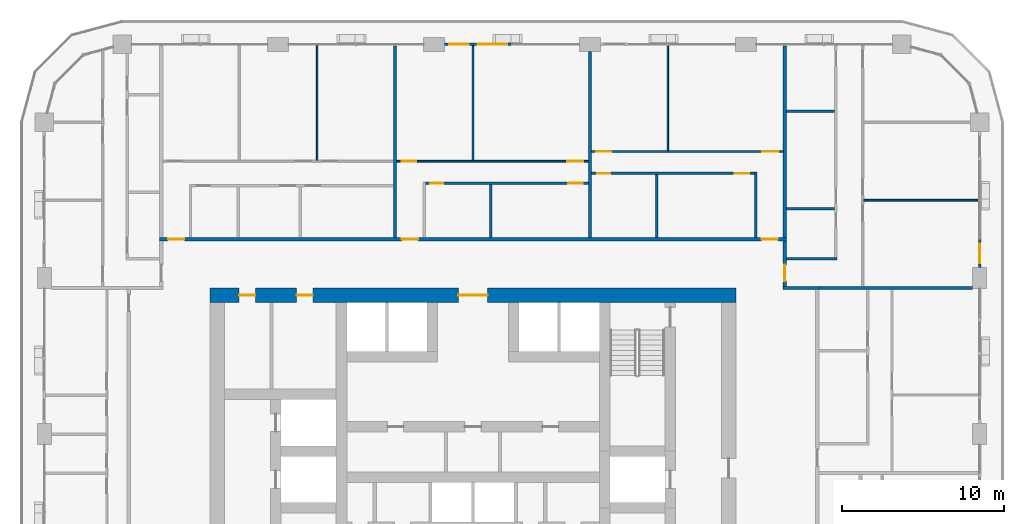
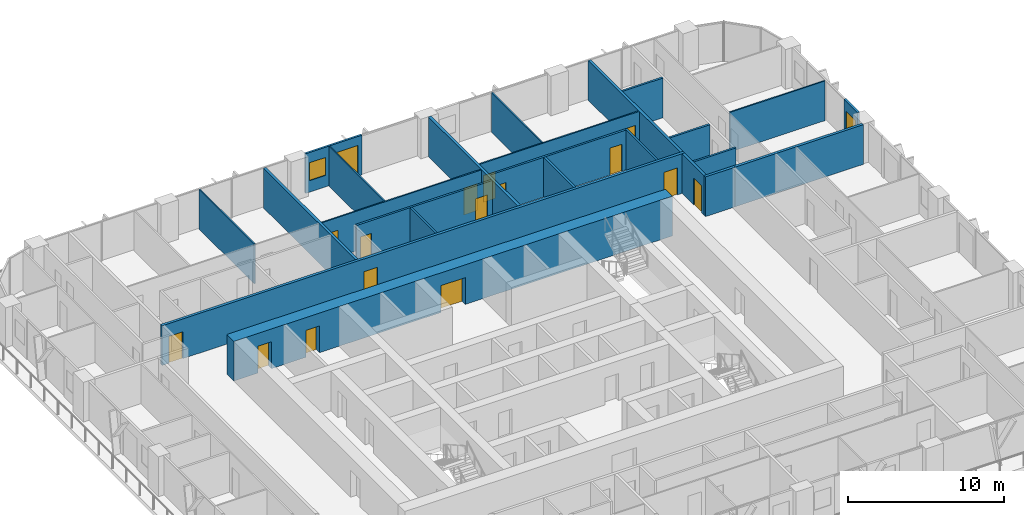
# One storey, part 14 of 21: 24 walls, 16 doors, 2 windows, 18 openings.
"""IFC4 building model written with IfcOpenShell, lengths in metres."""

from ifc_helpers import new_model, si_unit, direction, frame, frame_2d, origin, place, context, subcontext, project, spatial, rectangle, extrude, material, layer, layer_set, type_object, element, fill, save


model = new_model("IFC4")

# Units and contexts
model_context = context("Model", 3, precision=1e-05, world=origin(), true_north=direction((0.0, 1.0)))
body_context = subcontext(model_context, "Body", "Model", "MODEL_VIEW")
ifc_project = project(units=[si_unit("LENGTHUNIT", "METRE"), si_unit("AREAUNIT", "SQUARE_METRE"), si_unit("VOLUMEUNIT", "CUBIC_METRE"), si_unit("PLANEANGLEUNIT", "RADIAN"), si_unit("MASSUNIT", "GRAM", prefix="KILO")], contexts=[model_context])

# Site, building, storey
site_placement = place(None, origin())
site = spatial("IfcSite", under=ifc_project, at=site_placement, CompositionType="ELEMENT")
building_placement = place(site_placement, origin())
building = spatial("IfcBuilding", under=site, at=building_placement, Name="Madar Terraces", CompositionType="ELEMENT")
storey_placement = place(building_placement, frame((0.0, 0.0, 110.199951171875)))
storey = spatial("IfcBuildingStorey", under=building, at=storey_placement, Name="L28", CompositionType="ELEMENT", Elevation=110.199951171875)

# Wall, openings, doors
ifc_material_1 = material(Name="Concrete C80/95", Category="concrete")
ifc_layer_1 = layer(ifc_material_1, 0.89990234375)
ifc_layer_set_1 = layer_set([ifc_layer_1], Name="Concrete C80/95 (CRW2 RC wall 900)")
wall_type_1 = type_object("IfcWallType", Name="CRW2 RC wall 900", PredefinedType="SHEAR", material=ifc_layer_set_1)
wall_1_placement = place(storey_placement, frame((15.0, 37.35009765625, 0.0), z_axis=(0.0, 0.0, 1.0), x_axis=(1.0, 0.0, 0.0)))
wall_1 = element("IfcWall", 1, at=wall_1_placement, inside=storey, type_object=wall_type_1, Name="CORE OUTER WALL", PredefinedType="SHEAR", context=body_context, shape_type="SweptSolid", body=[
    extrude(rectangle(XDim=32.39990234375, YDim=0.89990234375, at=frame_2d((16.199951171875, 0.0))), origin(), (0.0, 0.0, 1.0), 3.10009765625),
])
opening_1_placement = place(wall_1_placement, frame((15.300048828125, 0.0, 0.0)))
opening_1 = element("IfcOpeningElement", 2, at=opening_1_placement, cuts=wall_1, Name="Opening KD1", PredefinedType="OPENING", context=body_context, shape_type="SweptSolid", body=[
    extrude(rectangle(XDim=1.800048828125, YDim=2.10009765625, at=frame_2d((0.89990234375, 1.050048828125))), frame((0.0, 0.4599609375, 0.0), z_axis=(0.0, -1.0, 0.0), x_axis=(1.0, 0.0, 0.0)), (0.0, 0.0, 1.0), 0.919921875),
])
opening_2_placement = place(wall_1_placement, frame((1.793701171875, 0.0, 0.0)))
opening_2 = element("IfcOpeningElement", 3, at=opening_2_placement, cuts=wall_1, Name="Opening KD2", PredefinedType="OPENING", context=body_context, shape_type="SweptSolid", body=[
    extrude(rectangle(XDim=1.0, YDim=2.10009765625, at=frame_2d((0.5, 1.050048828125))), frame((0.0, 0.4599609375, 0.0), z_axis=(0.0, -1.0, 0.0), x_axis=(1.0, 0.0, 0.0)), (0.0, 0.0, 1.0), 0.919921875),
])
opening_3_placement = place(wall_1_placement, frame((5.331298828125, 0.0, 0.0)))
opening_3 = element("IfcOpeningElement", 4, at=opening_3_placement, cuts=wall_1, Name="Opening KD2", PredefinedType="OPENING", context=body_context, shape_type="SweptSolid", body=[
    extrude(rectangle(XDim=1.0, YDim=2.10009765625, at=frame_2d((0.5, 1.050048828125))), frame((0.0, 0.4599609375, 0.0), z_axis=(0.0, -1.0, 0.0), x_axis=(1.0, 0.0, 0.0)), (0.0, 0.0, 1.0), 0.919921875),
])
ifc_material_2 = material(Name="Steel door leaf", Category="steel")
door_type_1 = type_object("IfcDoorType", Name="Lobby door pair 1800 x 2100", OperationType="DOUBLE_DOOR_SINGLE_SWING", PredefinedType="DOOR", material=ifc_material_2)
door_1_placement = place(opening_1_placement, origin())
door_1 = element("IfcDoor", 5, at=door_1_placement, inside=storey, type_object=door_type_1, Name="LIFT LOBBY DOOR", OperationType="DOUBLE_DOOR_SINGLE_SWING", OverallHeight=2.10009765625, OverallWidth=1.800048828125, PredefinedType="DOOR", context=body_context, shape_type="SweptSolid", body=[
    extrude(rectangle(XDim=1.800048828125, YDim=2.10009765625, at=frame_2d((0.89990234375, 1.050048828125))), frame((0.0, 0.02490234375, 0.0), z_axis=(0.0, -1.0, 0.0), x_axis=(1.0, 0.0, 0.0)), (0.0, 0.0, 1.0), 0.050048828125),
])
fill(opening_1, door_1)
ifc_material_3 = material(Name="Steel door leaf", Category="steel")
door_type_2 = type_object("IfcDoorType", Name="Service room door 1000 x 2100", OperationType="NOTDEFINED", PredefinedType="DOOR", material=ifc_material_3)
door_2_placement = place(opening_2_placement, origin())
door_2 = element("IfcDoor", 6, at=door_2_placement, inside=storey, type_object=door_type_2, Name="SERVICE ROOM DOOR", OperationType="SINGLE_SWING_LEFT", OverallHeight=2.10009765625, OverallWidth=1.0, PredefinedType="DOOR", context=body_context, shape_type="SweptSolid", body=[
    extrude(rectangle(XDim=1.0, YDim=2.10009765625, at=frame_2d((0.5, 1.050048828125))), frame((0.0, 0.02490234375, 0.0), z_axis=(0.0, -1.0, 0.0), x_axis=(1.0, 0.0, 0.0)), (0.0, 0.0, 1.0), 0.050048828125),
])
fill(opening_2, door_2)
door_3_placement = place(opening_3_placement, origin())
door_3 = element("IfcDoor", 7, at=door_3_placement, inside=storey, type_object=door_type_2, Name="SERVICE ROOM DOOR", OperationType="SINGLE_SWING_RIGHT", OverallHeight=2.10009765625, OverallWidth=1.0, PredefinedType="DOOR", context=body_context, shape_type="SweptSolid", body=[
    extrude(rectangle(XDim=1.0, YDim=2.10009765625, at=frame_2d((0.5, 1.050048828125))), frame((0.0, 0.02490234375, 0.0), z_axis=(0.0, -1.0, 0.0), x_axis=(1.0, 0.0, 0.0)), (0.0, 0.0, 1.0), 0.050048828125),
])
fill(opening_3, door_3)

# Wall, opening, window
ifc_material_4 = material(Name="Aluminium composite panel, black, over insulated backing", Category="aluminium")
ifc_layer_2 = layer(ifc_material_4, 0.14990234375)
ifc_layer_set_2 = layer_set([ifc_layer_2], Name="Facade bay panel 150")
wall_type_2 = type_object("IfcWallType", Name="Facade bay panel 150", PredefinedType="SOLIDWALL", material=ifc_layer_set_2)
wall_2_placement = place(storey_placement, frame((62.39990234375, 39.050048828125, 0.0), z_axis=(0.0, 0.0, 1.0), x_axis=(0.0, 1.0, 0.0)))
wall_2 = element("IfcWall", 8, at=wall_2_placement, inside=storey, type_object=wall_type_2, Name="Facade bay panel", PredefinedType="SOLIDWALL", context=body_context, shape_type="SweptSolid", body=[
    extrude(rectangle(XDim=1.75, YDim=0.14990234375, at=frame_2d((0.875, 0.0))), origin(), (0.0, 0.0, 1.0), 3.10009765625),
])
opening_4_placement = place(wall_2_placement, frame((0.27490234375, 0.0, 0.89990234375)))
opening_4 = element("IfcOpeningElement", 9, at=opening_4_placement, cuts=wall_2, Name="Opening W1", PredefinedType="OPENING", context=body_context, shape_type="SweptSolid", body=[
    extrude(rectangle(XDim=1.199951171875, YDim=1.39990234375, at=frame_2d((0.60009765625, 0.699951171875))), frame((0.0, 0.0849609375, 0.0), z_axis=(0.0, -1.0, 0.0), x_axis=(1.0, 0.0, 0.0)), (0.0, 0.0, 1.0), 0.169921875),
])
ifc_material_5 = material(Name="Glass, clear, with black aluminium frame", Category="aluminium")
window_type = type_object("IfcWindowType", Name="Vent window 1200 x 1400", PartitioningType="SINGLE_PANEL", PredefinedType="WINDOW", material=ifc_material_5)
window_1_placement = place(opening_4_placement, origin())
window_1 = element("IfcWindow", 10, at=window_1_placement, inside=storey, type_object=window_type, Name="Operable vent window", OverallHeight=1.39990234375, OverallWidth=1.199951171875, PartitioningType="SINGLE_PANEL", PredefinedType="WINDOW", context=body_context, shape_type="SweptSolid", body=[
    extrude(rectangle(XDim=1.199951171875, YDim=1.39990234375, at=frame_2d((0.60009765625, 0.699951171875))), frame((0.0, 0.030029296875, 0.0), z_axis=(0.0, -1.0, 0.0), x_axis=(1.0, 0.0, 0.0)), (0.0, 0.0, 1.0), 0.06005859375),
])
fill(opening_4, window_1)

# Wall, openings, door, window
wall_3_placement = place(storey_placement, frame((33.60009765625, 52.800048828125, 0.0), z_axis=(0.0, 0.0, 1.0), x_axis=(-1.0, 0.0, 0.0)))
wall_3 = element("IfcWall", 11, at=wall_3_placement, inside=storey, type_object=wall_type_2, Name="Facade bay panel", PredefinedType="SOLIDWALL", context=body_context, shape_type="SweptSolid", body=[
    extrude(rectangle(XDim=4.150146484375, YDim=0.14990234375, at=frame_2d((2.0751953125, 0.0))), origin(), (0.0, 0.0, 1.0), 3.10009765625),
])
opening_5_placement = place(wall_3_placement, frame((0.300048828125, 0.0, 0.0)))
opening_5 = element("IfcOpeningElement", 12, at=opening_5_placement, cuts=wall_3, Name="Opening ED1", PredefinedType="OPENING", context=body_context, shape_type="SweptSolid", body=[
    extrude(rectangle(XDim=1.800048828125, YDim=2.39990234375, at=frame_2d((0.89990234375, 1.199951171875))), frame((0.0, 0.0849609375, 0.0), z_axis=(0.0, -1.0, 0.0), x_axis=(1.0, 0.0, 0.0)), (0.0, 0.0, 1.0), 0.169921875),
])
opening_6_placement = place(wall_3_placement, frame((2.675048828125, 0.0, 0.89990234375)))
opening_6 = element("IfcOpeningElement", 13, at=opening_6_placement, cuts=wall_3, Name="Opening W1", PredefinedType="OPENING", context=body_context, shape_type="SweptSolid", body=[
    extrude(rectangle(XDim=1.199951171875, YDim=1.39990234375, at=frame_2d((0.60009765625, 0.699951171875))), frame((0.0, 0.0849609375, 0.0), z_axis=(0.0, -1.0, 0.0), x_axis=(1.0, 0.0, 0.0)), (0.0, 0.0, 1.0), 0.169921875),
])
ifc_material_6 = material(Name="Glass, clear, with black aluminium frame", Category="aluminium")
door_type_3 = type_object("IfcDoorType", Name="Balcony and terrace sliding door 1800 x 2400", OperationType="SLIDING_TO_LEFT", PredefinedType="DOOR", material=ifc_material_6)
door_4_placement = place(opening_5_placement, origin())
door_4 = element("IfcDoor", 14, at=door_4_placement, inside=storey, type_object=door_type_3, Name="Balcony door", OperationType="SLIDING_TO_LEFT", OverallHeight=2.39990234375, OverallWidth=1.800048828125, PredefinedType="DOOR", context=body_context, shape_type="SweptSolid", body=[
    extrude(rectangle(XDim=1.800048828125, YDim=2.39990234375, at=frame_2d((0.89990234375, 1.199951171875))), frame((0.0, 0.02490234375, 0.0), z_axis=(0.0, -1.0, 0.0), x_axis=(1.0, 0.0, 0.0)), (0.0, 0.0, 1.0), 0.050048828125),
])
fill(opening_5, door_4)
window_2_placement = place(opening_6_placement, origin())
window_2 = element("IfcWindow", 15, at=window_2_placement, inside=storey, type_object=window_type, Name="Operable vent window", OverallHeight=1.39990234375, OverallWidth=1.199951171875, PartitioningType="SINGLE_PANEL", PredefinedType="WINDOW", context=body_context, shape_type="SweptSolid", body=[
    extrude(rectangle(XDim=1.199951171875, YDim=1.39990234375, at=frame_2d((0.60009765625, 0.699951171875))), frame((0.0, 0.030029296875, 0.0), z_axis=(0.0, -1.0, 0.0), x_axis=(1.0, 0.0, 0.0)), (0.0, 0.0, 1.0), 0.06005859375),
])
fill(opening_6, window_2)

# Walls
ifc_material_7 = material(Name="Gypsum board on steel studs", Category="steel")
ifc_layer_3 = layer(ifc_material_7, 0.10009765625)
ifc_layer_set_3 = layer_set([ifc_layer_3], Name="Flat partition 100")
wall_type_3 = type_object("IfcWallType", Name="Flat partition 100", PredefinedType="PARTITIONING", material=ifc_layer_set_3)
wall_4_placement = place(storey_placement, frame((55.25, 43.199951171875, 0.0), z_axis=(0.0, 0.0, 1.0), x_axis=(1.0, 0.0, 0.0)))
element("IfcWall", 16, at=wall_4_placement, inside=storey, type_object=wall_type_3, Name="Flat partition 100", PredefinedType="PARTITIONING", context=body_context, shape_type="SweptSolid", body=[
    extrude(rectangle(XDim=7.050048828125, YDim=0.10009765625, at=frame_2d((3.52490234375, 0.0))), origin(), (0.0, 0.0, 1.0), 3.10009765625),
])
wall_5_placement = place(storey_placement, frame((43.199951171875, 46.25, 0.0), z_axis=(0.0, 0.0, 1.0), x_axis=(0.0, 1.0, 0.0)))
element("IfcWall", 17, at=wall_5_placement, inside=storey, type_object=wall_type_3, Name="Flat partition 100", PredefinedType="PARTITIONING", context=body_context, shape_type="SweptSolid", body=[
    extrude(rectangle(XDim=6.449951171875, YDim=0.10009765625, at=frame_2d((3.22509765625, 0.0))), origin(), (0.0, 0.0, 1.0), 3.10009765625),
])

# Wall, openings, doors
wall_6_placement = place(storey_placement, frame((38.5, 46.199951171875, 0.0), z_axis=(0.0, 0.0, 1.0), x_axis=(1.0, 0.0, 0.0)))
wall_6 = element("IfcWall", 18, at=wall_6_placement, inside=storey, type_object=wall_type_3, Name="Flat partition 100", PredefinedType="PARTITIONING", context=body_context, shape_type="SweptSolid", body=[
    extrude(rectangle(XDim=11.800048828125, YDim=0.10009765625, at=frame_2d((5.89990234375, 0.0))), origin(), (0.0, 0.0, 1.0), 3.10009765625),
])
opening_7_placement = place(wall_6_placement, frame((10.5, 0.0, 0.0)))
opening_7 = element("IfcOpeningElement", 19, at=opening_7_placement, cuts=wall_6, Name="Opening D3", PredefinedType="OPENING", context=body_context, shape_type="SweptSolid", body=[
    extrude(rectangle(XDim=1.0, YDim=2.10009765625, at=frame_2d((0.5, 1.050048828125))), frame((0.0, 0.06005859375, 0.0), z_axis=(0.0, -1.0, 0.0), x_axis=(1.0, 0.0, 0.0)), (0.0, 0.0, 1.0), 0.1201171875),
])
opening_8_placement = place(wall_6_placement, frame((0.300048828125, 0.0, 0.0)))
opening_8 = element("IfcOpeningElement", 20, at=opening_8_placement, cuts=wall_6, Name="Opening D2", PredefinedType="OPENING", context=body_context, shape_type="SweptSolid", body=[
    extrude(rectangle(XDim=0.89990234375, YDim=2.10009765625, at=frame_2d((0.449951171875, 1.050048828125))), frame((0.0, 0.06005859375, 0.0), z_axis=(0.0, -1.0, 0.0), x_axis=(1.0, 0.0, 0.0)), (0.0, 0.0, 1.0), 0.1201171875),
])
ifc_material_8 = material(Name="Timber door leaf", Category="wood")
door_type_4 = type_object("IfcDoorType", Name="Flat living room door 1000", OperationType="NOTDEFINED", PredefinedType="DOOR", material=ifc_material_8)
door_5_placement = place(opening_7_placement, origin())
door_5 = element("IfcDoor", 21, at=door_5_placement, inside=storey, type_object=door_type_4, Name="Flat living room door 1000", OperationType="SINGLE_SWING_RIGHT", OverallHeight=2.10009765625, OverallWidth=1.0, PredefinedType="DOOR", context=body_context, shape_type="SweptSolid", body=[
    extrude(rectangle(XDim=1.0, YDim=2.10009765625, at=frame_2d((0.5, 1.050048828125))), frame((0.0, 0.02490234375, 0.0), z_axis=(0.0, -1.0, 0.0), x_axis=(1.0, 0.0, 0.0)), (0.0, 0.0, 1.0), 0.050048828125),
])
fill(opening_7, door_5)
ifc_material_9 = material(Name="Timber door leaf", Category="wood")
door_type_5 = type_object("IfcDoorType", Name="Flat room door 900", OperationType="NOTDEFINED", PredefinedType="DOOR", material=ifc_material_9)
door_6_placement = place(opening_8_placement, origin())
door_6 = element("IfcDoor", 22, at=door_6_placement, inside=storey, type_object=door_type_5, Name="Flat room door 900", OperationType="SINGLE_SWING_LEFT", OverallHeight=2.10009765625, OverallWidth=0.89990234375, PredefinedType="DOOR", context=body_context, shape_type="SweptSolid", body=[
    extrude(rectangle(XDim=0.89990234375, YDim=2.10009765625, at=frame_2d((0.449951171875, 1.050048828125))), frame((0.0, 0.02490234375, 0.0), z_axis=(0.0, -1.0, 0.0), x_axis=(1.0, 0.0, 0.0)), (0.0, 0.0, 1.0), 0.050048828125),
])
fill(opening_8, door_6)

# Wall
wall_7_placement = place(storey_placement, frame((31.199951171875, 45.64990234375, 0.0), z_axis=(0.0, 0.0, 1.0), x_axis=(0.0, 1.0, 0.0)))
element("IfcWall", 23, at=wall_7_placement, inside=storey, type_object=wall_type_3, Name="Flat partition 100", PredefinedType="PARTITIONING", context=body_context, shape_type="SweptSolid", body=[
    extrude(rectangle(XDim=7.050048828125, YDim=0.10009765625, at=frame_2d((3.52490234375, 0.0))), origin(), (0.0, 0.0, 1.0), 3.10009765625),
])

# Wall, openings, doors
wall_8_placement = place(storey_placement, frame((26.5, 45.60009765625, 0.0), z_axis=(0.0, 0.0, 1.0), x_axis=(1.0, 0.0, 0.0)))
wall_8 = element("IfcWall", 24, at=wall_8_placement, inside=storey, type_object=wall_type_3, Name="Flat partition 100", PredefinedType="PARTITIONING", context=body_context, shape_type="SweptSolid", body=[
    extrude(rectangle(XDim=11.800048828125, YDim=0.10009765625, at=frame_2d((5.89990234375, 0.0))), origin(), (0.0, 0.0, 1.0), 3.10009765625),
])
opening_9_placement = place(wall_8_placement, frame((0.300048828125, 0.0, 0.0)))
opening_9 = element("IfcOpeningElement", 25, at=opening_9_placement, cuts=wall_8, Name="Opening D2", PredefinedType="OPENING", context=body_context, shape_type="SweptSolid", body=[
    extrude(rectangle(XDim=0.89990234375, YDim=2.10009765625, at=frame_2d((0.449951171875, 1.050048828125))), frame((0.0, 0.06005859375, 0.0), z_axis=(0.0, -1.0, 0.0), x_axis=(1.0, 0.0, 0.0)), (0.0, 0.0, 1.0), 0.1201171875),
])
opening_10_placement = place(wall_8_placement, frame((10.5, 0.0, 0.0)))
opening_10 = element("IfcOpeningElement", 26, at=opening_10_placement, cuts=wall_8, Name="Opening D3", PredefinedType="OPENING", context=body_context, shape_type="SweptSolid", body=[
    extrude(rectangle(XDim=1.0, YDim=2.10009765625, at=frame_2d((0.5, 1.050048828125))), frame((0.0, 0.06005859375, 0.0), z_axis=(0.0, -1.0, 0.0), x_axis=(1.0, 0.0, 0.0)), (0.0, 0.0, 1.0), 0.1201171875),
])
door_7_placement = place(opening_10_placement, origin())
door_7 = element("IfcDoor", 27, at=door_7_placement, inside=storey, type_object=door_type_4, Name="Flat living room door 1000", OperationType="SINGLE_SWING_RIGHT", OverallHeight=2.10009765625, OverallWidth=1.0, PredefinedType="DOOR", context=body_context, shape_type="SweptSolid", body=[
    extrude(rectangle(XDim=1.0, YDim=2.10009765625, at=frame_2d((0.5, 1.050048828125))), frame((0.0, 0.02490234375, 0.0), z_axis=(0.0, -1.0, 0.0), x_axis=(1.0, 0.0, 0.0)), (0.0, 0.0, 1.0), 0.050048828125),
])
fill(opening_10, door_7)
door_8_placement = place(opening_9_placement, origin())
door_8 = element("IfcDoor", 28, at=door_8_placement, inside=storey, type_object=door_type_5, Name="Flat room door 900", OperationType="SINGLE_SWING_LEFT", OverallHeight=2.10009765625, OverallWidth=0.89990234375, PredefinedType="DOOR", context=body_context, shape_type="SweptSolid", body=[
    extrude(rectangle(XDim=0.89990234375, YDim=2.10009765625, at=frame_2d((0.449951171875, 1.050048828125))), frame((0.0, 0.02490234375, 0.0), z_axis=(0.0, -1.0, 0.0), x_axis=(1.0, 0.0, 0.0)), (0.0, 0.0, 1.0), 0.050048828125),
])
fill(opening_9, door_8)

# Walls
wall_9_placement = place(storey_placement, frame((21.60009765625, 45.64990234375, 0.0), z_axis=(0.0, 0.0, 1.0), x_axis=(0.0, 1.0, 0.0)))
element("IfcWall", 29, at=wall_9_placement, inside=storey, type_object=wall_type_3, Name="Flat partition 100", PredefinedType="PARTITIONING", context=body_context, shape_type="SweptSolid", body=[
    extrude(rectangle(XDim=7.050048828125, YDim=0.10009765625, at=frame_2d((3.52490234375, 0.0))), origin(), (0.0, 0.0, 1.0), 3.10009765625),
])
ifc_material_10 = material(Name="Lightweight blockwork", Category="masonry")
ifc_layer_4 = layer(ifc_material_10, 0.199951171875)
ifc_layer_set_4 = layer_set([ifc_layer_4], Name="Flat party and entrance wall 200")
wall_type_4 = type_object("IfcWallType", Name="Flat party and entrance wall 200", PredefinedType="PARTITIONING", material=ifc_layer_set_4)
wall_10_placement = place(storey_placement, frame((52.5, 37.800048828125, 0.0), z_axis=(0.0, 0.0, 1.0), x_axis=(-1.0, 0.0, 0.0)))
element("IfcWall", 30, at=wall_10_placement, inside=storey, type_object=wall_type_4, Name="Flat party and entrance wall 200", PredefinedType="PARTITIONING", context=body_context, shape_type="SweptSolid", body=[
    extrude(rectangle(XDim=2.199951171875, YDim=0.199951171875, at=frame_2d((1.10009765625, 0.0))), origin(), (0.0, 0.0, 1.0), 3.10009765625),
])

# Wall, opening, door
wall_11_placement = place(storey_placement, frame((50.39990234375, 40.699951171875, 0.0), z_axis=(0.0, 0.0, 1.0), x_axis=(0.0, -1.0, 0.0)))
wall_11 = element("IfcWall", 31, at=wall_11_placement, inside=storey, type_object=wall_type_4, Name="Flat party and entrance wall 200", PredefinedType="PARTITIONING", context=body_context, shape_type="SweptSolid", body=[
    extrude(rectangle(XDim=2.800048828125, YDim=0.199951171875, at=frame_2d((1.39990234375, 0.0))), origin(), (0.0, 0.0, 1.0), 3.10009765625),
])
opening_11_placement = place(wall_11_placement, frame((1.47509765625, 0.0, 0.0)))
opening_11 = element("IfcOpeningElement", 32, at=opening_11_placement, cuts=wall_11, Name="Opening D1", PredefinedType="OPENING", context=body_context, shape_type="SweptSolid", body=[
    extrude(rectangle(XDim=1.0, YDim=2.10009765625, at=frame_2d((0.5, 1.050048828125))), frame((0.0, 0.10986328125, 0.0), z_axis=(0.0, -1.0, 0.0), x_axis=(1.0, 0.0, 0.0)), (0.0, 0.0, 1.0), 0.219970703125),
])
ifc_material_11 = material(Name="Timber fire door leaf", Category="wood")
door_type_6 = type_object("IfcDoorType", Name="Flat entrance door 1000 FD30S", OperationType="NOTDEFINED", PredefinedType="DOOR", material=ifc_material_11)
door_9_placement = place(opening_11_placement, origin())
door_9 = element("IfcDoor", 33, at=door_9_placement, inside=storey, type_object=door_type_6, Name="Flat entrance door 1000 FD30S", OperationType="SINGLE_SWING_RIGHT", OverallHeight=2.10009765625, OverallWidth=1.0, PredefinedType="DOOR", context=body_context, shape_type="SweptSolid", body=[
    extrude(rectangle(XDim=1.0, YDim=2.10009765625, at=frame_2d((0.5, 1.050048828125))), frame((0.0, 0.02490234375, 0.0), z_axis=(0.0, -1.0, 0.0), x_axis=(1.0, 0.0, 0.0)), (0.0, 0.0, 1.0), 0.050048828125),
])
fill(opening_11, door_9)

# Wall, openings, doors
wall_12_placement = place(storey_placement, frame((11.89990234375, 40.800048828125, 0.0), z_axis=(0.0, 0.0, 1.0), x_axis=(1.0, 0.0, 0.0)))
wall_12 = element("IfcWall", 34, at=wall_12_placement, inside=storey, type_object=wall_type_4, Name="Flat party and entrance wall 200", PredefinedType="PARTITIONING", context=body_context, shape_type="SweptSolid", body=[
    extrude(rectangle(XDim=38.60009765625, YDim=0.199951171875, at=frame_2d((19.300048828125, 0.0))), origin(), (0.0, 0.0, 1.0), 3.10009765625),
])
opening_12_placement = place(wall_12_placement, frame((37.074951171875, 0.0, 0.0)))
opening_12 = element("IfcOpeningElement", 35, at=opening_12_placement, cuts=wall_12, Name="Opening D1", PredefinedType="OPENING", context=body_context, shape_type="SweptSolid", body=[
    extrude(rectangle(XDim=1.0, YDim=2.10009765625, at=frame_2d((0.5, 1.050048828125))), frame((0.0, 0.10986328125, 0.0), z_axis=(0.0, -1.0, 0.0), x_axis=(1.0, 0.0, 0.0)), (0.0, 0.0, 1.0), 0.219970703125),
])
opening_13_placement = place(wall_12_placement, frame((14.925048828125, 0.0, 0.0)))
opening_13 = element("IfcOpeningElement", 36, at=opening_13_placement, cuts=wall_12, Name="Opening D1", PredefinedType="OPENING", context=body_context, shape_type="SweptSolid", body=[
    extrude(rectangle(XDim=1.0, YDim=2.10009765625, at=frame_2d((0.5, 1.050048828125))), frame((0.0, 0.10986328125, 0.0), z_axis=(0.0, -1.0, 0.0), x_axis=(1.0, 0.0, 0.0)), (0.0, 0.0, 1.0), 0.219970703125),
])
opening_14_placement = place(wall_12_placement, frame((0.52490234375, 0.0, 0.0)))
opening_14 = element("IfcOpeningElement", 37, at=opening_14_placement, cuts=wall_12, Name="Opening D1", PredefinedType="OPENING", context=body_context, shape_type="SweptSolid", body=[
    extrude(rectangle(XDim=1.0, YDim=2.10009765625, at=frame_2d((0.5, 1.050048828125))), frame((0.0, 0.10986328125, 0.0), z_axis=(0.0, -1.0, 0.0), x_axis=(1.0, 0.0, 0.0)), (0.0, 0.0, 1.0), 0.219970703125),
])
door_10_placement = place(opening_12_placement, origin())
door_10 = element("IfcDoor", 38, at=door_10_placement, inside=storey, type_object=door_type_6, Name="Flat entrance door 1000 FD30S", OperationType="SINGLE_SWING_RIGHT", OverallHeight=2.10009765625, OverallWidth=1.0, PredefinedType="DOOR", context=body_context, shape_type="SweptSolid", body=[
    extrude(rectangle(XDim=1.0, YDim=2.10009765625, at=frame_2d((0.5, 1.050048828125))), frame((0.0, 0.02490234375, 0.0), z_axis=(0.0, -1.0, 0.0), x_axis=(1.0, 0.0, 0.0)), (0.0, 0.0, 1.0), 0.050048828125),
])
fill(opening_12, door_10)
door_11_placement = place(opening_13_placement, origin())
door_11 = element("IfcDoor", 39, at=door_11_placement, inside=storey, type_object=door_type_6, Name="Flat entrance door 1000 FD30S", OperationType="SINGLE_SWING_LEFT", OverallHeight=2.10009765625, OverallWidth=1.0, PredefinedType="DOOR", context=body_context, shape_type="SweptSolid", body=[
    extrude(rectangle(XDim=1.0, YDim=2.10009765625, at=frame_2d((0.5, 1.050048828125))), frame((0.0, 0.02490234375, 0.0), z_axis=(0.0, -1.0, 0.0), x_axis=(1.0, 0.0, 0.0)), (0.0, 0.0, 1.0), 0.050048828125),
])
fill(opening_13, door_11)
door_12_placement = place(opening_14_placement, origin())
door_12 = element("IfcDoor", 40, at=door_12_placement, inside=storey, type_object=door_type_6, Name="Flat entrance door 1000 FD30S", OperationType="SINGLE_SWING_LEFT", OverallHeight=2.10009765625, OverallWidth=1.0, PredefinedType="DOOR", context=body_context, shape_type="SweptSolid", body=[
    extrude(rectangle(XDim=1.0, YDim=2.10009765625, at=frame_2d((0.5, 1.050048828125))), frame((0.0, 0.02490234375, 0.0), z_axis=(0.0, -1.0, 0.0), x_axis=(1.0, 0.0, 0.0)), (0.0, 0.0, 1.0), 0.050048828125),
])
fill(opening_14, door_12)

# Walls
wall_13_placement = place(storey_placement, frame((52.5, 37.800048828125, 0.0), z_axis=(0.0, 0.0, 1.0), x_axis=(1.0, 0.0, 0.0)))
element("IfcWall", 41, at=wall_13_placement, inside=storey, type_object=wall_type_4, Name="Flat party and entrance wall 200", PredefinedType="PARTITIONING", context=body_context, shape_type="SweptSolid", body=[
    extrude(rectangle(XDim=9.47509765625, YDim=0.199951171875, at=frame_2d((4.737548828125, 0.0))), origin(), (0.0, 0.0, 1.0), 3.10009765625),
])
wall_14_placement = place(storey_placement, frame((50.39990234375, 40.89990234375, 0.0), z_axis=(0.0, 0.0, 1.0), x_axis=(0.0, 1.0, 0.0)))
element("IfcWall", 42, at=wall_14_placement, inside=storey, type_object=wall_type_4, Name="Flat party and entrance wall 200", PredefinedType="PARTITIONING", context=body_context, shape_type="SweptSolid", body=[
    extrude(rectangle(XDim=11.800048828125, YDim=0.199951171875, at=frame_2d((5.89990234375, 0.0))), origin(), (0.0, 0.0, 1.0), 3.10009765625),
])
wall_15_placement = place(storey_placement, frame((38.39990234375, 52.375, 0.0), z_axis=(0.0, 0.0, 1.0), x_axis=(0.0, -1.0, 0.0)))
element("IfcWall", 43, at=wall_15_placement, inside=storey, type_object=wall_type_4, Name="Flat party and entrance wall 200", PredefinedType="PARTITIONING", context=body_context, shape_type="SweptSolid", body=[
    extrude(rectangle(XDim=11.47509765625, YDim=0.199951171875, at=frame_2d((5.737548828125, 0.0))), origin(), (0.0, 0.0, 1.0), 3.10009765625),
])
wall_16_placement = place(storey_placement, frame((26.39990234375, 52.699951171875, 0.0), z_axis=(0.0, 0.0, 1.0), x_axis=(0.0, -1.0, 0.0)))
element("IfcWall", 44, at=wall_16_placement, inside=storey, type_object=wall_type_4, Name="Flat party and entrance wall 200", PredefinedType="PARTITIONING", context=body_context, shape_type="SweptSolid", body=[
    extrude(rectangle(XDim=11.800048828125, YDim=0.199951171875, at=frame_2d((5.89990234375, 0.0))), origin(), (0.0, 0.0, 1.0), 3.10009765625),
])
ifc_material_12 = material(Name="Lightweight blockwork", Category="masonry")
ifc_layer_5 = layer(ifc_material_12, 0.14990234375)
ifc_layer_set_5 = layer_set([ifc_layer_5], Name="Flat wet-room partition 150")
wall_type_5 = type_object("IfcWallType", Name="Flat wet-room partition 150", PredefinedType="PARTITIONING", material=ifc_layer_set_5)
for number, where, z_axis, x_axis, name in (
    (45, (50.5, 42.680908203125, 0.0), (0.0, 0.0, 1.0), (1.0, 0.0, 0.0), "Flat wet-room partition 150"),
    (46, (50.5, 48.6923828125, 0.0), (0.0, 0.0, 1.0), (1.0, 0.0, 0.0), "Flat wet-room partition 150"),
):
    element("IfcWall", number, at=place(storey_placement, frame(where, z_axis=z_axis, x_axis=x_axis)), inside=storey, type_object=wall_type_5, Name=name, PredefinedType="PARTITIONING", context=body_context, shape_type="SweptSolid", body=[
        extrude(rectangle(XDim=2.97509765625, YDim=0.14990234375, at=frame_2d((1.487548828125, 0.0))), origin(), (0.0, 0.0, 1.0), 3.10009765625),
    ])
wall_17_placement = place(storey_placement, frame((50.5, 39.60009765625, 0.0), z_axis=(0.0, 0.0, 1.0), x_axis=(1.0, 0.0, 0.0)))
element("IfcWall", 47, at=wall_17_placement, inside=storey, type_object=wall_type_5, Name="Flat wet-room partition 150", PredefinedType="PARTITIONING", context=body_context, shape_type="SweptSolid", body=[
    extrude(rectangle(XDim=3.125, YDim=0.14990234375, at=frame_2d((1.5625, 0.0))), origin(), (0.0, 0.0, 1.0), 3.10009765625),
])
wall_18_placement = place(storey_placement, frame((42.510009765625, 40.89990234375, 0.0), z_axis=(0.0, 0.0, 1.0), x_axis=(0.0, 1.0, 0.0)))
element("IfcWall", 48, at=wall_18_placement, inside=storey, type_object=wall_type_5, Name="Flat wet-room partition 150", PredefinedType="PARTITIONING", context=body_context, shape_type="SweptSolid", body=[
    extrude(rectangle(XDim=3.875, YDim=0.14990234375, at=frame_2d((1.9375, 0.0))), origin(), (0.0, 0.0, 1.0), 3.10009765625),
])
wall_19_placement = place(storey_placement, frame((48.60009765625, 40.89990234375, 0.0), z_axis=(0.0, 0.0, 1.0), x_axis=(0.0, 1.0, 0.0)))
element("IfcWall", 49, at=wall_19_placement, inside=storey, type_object=wall_type_5, Name="Flat wet-room partition 150", PredefinedType="PARTITIONING", context=body_context, shape_type="SweptSolid", body=[
    extrude(rectangle(XDim=4.025146484375, YDim=0.14990234375, at=frame_2d((2.0126953125, 0.0))), origin(), (0.0, 0.0, 1.0), 3.10009765625),
])

# Wall, openings, doors
wall_20_placement = place(storey_placement, frame((48.52490234375, 44.85009765625, 0.0), z_axis=(0.0, 0.0, 1.0), x_axis=(-1.0, 0.0, 0.0)))
wall_20 = element("IfcWall", 50, at=wall_20_placement, inside=storey, type_object=wall_type_5, Name="Flat wet-room partition 150", PredefinedType="PARTITIONING", context=body_context, shape_type="SweptSolid", body=[
    extrude(rectangle(XDim=10.02490234375, YDim=0.14990234375, at=frame_2d((5.012451171875, 0.0))), origin(), (0.0, 0.0, 1.0), 3.10009765625),
])
opening_15_placement = place(wall_20_placement, frame((0.300048828125, 0.0, 0.0)))
opening_15 = element("IfcOpeningElement", 51, at=opening_15_placement, cuts=wall_20, Name="Opening D2", PredefinedType="OPENING", context=body_context, shape_type="SweptSolid", body=[
    extrude(rectangle(XDim=0.89990234375, YDim=2.10009765625, at=frame_2d((0.449951171875, 1.050048828125))), frame((0.0, 0.0849609375, 0.0), z_axis=(0.0, -1.0, 0.0), x_axis=(1.0, 0.0, 0.0)), (0.0, 0.0, 1.0), 0.169921875),
])
opening_16_placement = place(wall_20_placement, frame((8.875, 0.0, 0.0)))
opening_16 = element("IfcOpeningElement", 52, at=opening_16_placement, cuts=wall_20, Name="Opening D4", PredefinedType="OPENING", context=body_context, shape_type="SweptSolid", body=[
    extrude(rectangle(XDim=0.800048828125, YDim=2.10009765625, at=frame_2d((0.39990234375, 1.050048828125))), frame((0.0, 0.0849609375, 0.0), z_axis=(0.0, -1.0, 0.0), x_axis=(1.0, 0.0, 0.0)), (0.0, 0.0, 1.0), 0.169921875),
])
ifc_material_13 = material(Name="Timber door leaf", Category="wood")
door_type_7 = type_object("IfcDoorType", Name="Flat bathroom door 800", OperationType="NOTDEFINED", PredefinedType="DOOR", material=ifc_material_13)
door_13_placement = place(opening_16_placement, origin())
door_13 = element("IfcDoor", 53, at=door_13_placement, inside=storey, type_object=door_type_7, Name="Flat bathroom door 800", OperationType="SINGLE_SWING_RIGHT", OverallHeight=2.10009765625, OverallWidth=0.800048828125, PredefinedType="DOOR", context=body_context, shape_type="SweptSolid", body=[
    extrude(rectangle(XDim=0.800048828125, YDim=2.10009765625, at=frame_2d((0.39990234375, 1.050048828125))), frame((0.0, 0.02490234375, 0.0), z_axis=(0.0, -1.0, 0.0), x_axis=(1.0, 0.0, 0.0)), (0.0, 0.0, 1.0), 0.050048828125),
])
fill(opening_16, door_13)
door_14_placement = place(opening_15_placement, origin())
door_14 = element("IfcDoor", 54, at=door_14_placement, inside=storey, type_object=door_type_5, Name="Flat room door 900", OperationType="SINGLE_SWING_LEFT", OverallHeight=2.10009765625, OverallWidth=0.89990234375, PredefinedType="DOOR", context=body_context, shape_type="SweptSolid", body=[
    extrude(rectangle(XDim=0.89990234375, YDim=2.10009765625, at=frame_2d((0.449951171875, 1.050048828125))), frame((0.0, 0.02490234375, 0.0), z_axis=(0.0, -1.0, 0.0), x_axis=(1.0, 0.0, 0.0)), (0.0, 0.0, 1.0), 0.050048828125),
])
fill(opening_15, door_14)

# Wall
wall_21_placement = place(storey_placement, frame((32.284912109375, 40.89990234375, 0.0), z_axis=(0.0, 0.0, 1.0), x_axis=(0.0, 1.0, 0.0)))
element("IfcWall", 55, at=wall_21_placement, inside=storey, type_object=wall_type_5, Name="Flat wet-room partition 150", PredefinedType="PARTITIONING", context=body_context, shape_type="SweptSolid", body=[
    extrude(rectangle(XDim=3.275146484375, YDim=0.14990234375, at=frame_2d((1.6376953125, 0.0))), origin(), (0.0, 0.0, 1.0), 3.10009765625),
])

# Wall, openings, doors
wall_22_placement = place(storey_placement, frame((38.300048828125, 44.25, 0.0), z_axis=(0.0, 0.0, 1.0), x_axis=(-1.0, 0.0, 0.0)))
wall_22 = element("IfcWall", 56, at=wall_22_placement, inside=storey, type_object=wall_type_5, Name="Flat wet-room partition 150", PredefinedType="PARTITIONING", context=body_context, shape_type="SweptSolid", body=[
    extrude(rectangle(XDim=10.025146484375, YDim=0.14990234375, at=frame_2d((5.0126953125, 0.0))), origin(), (0.0, 0.0, 1.0), 3.10009765625),
])
opening_17_placement = place(wall_22_placement, frame((8.925048828125, 0.0, 0.0)))
opening_17 = element("IfcOpeningElement", 57, at=opening_17_placement, cuts=wall_22, Name="Opening D4", PredefinedType="OPENING", context=body_context, shape_type="SweptSolid", body=[
    extrude(rectangle(XDim=0.800048828125, YDim=2.10009765625, at=frame_2d((0.39990234375, 1.050048828125))), frame((0.0, 0.0849609375, 0.0), z_axis=(0.0, -1.0, 0.0), x_axis=(1.0, 0.0, 0.0)), (0.0, 0.0, 1.0), 0.169921875),
])
opening_18_placement = place(wall_22_placement, frame((0.35009765625, 0.0, 0.0)))
opening_18 = element("IfcOpeningElement", 58, at=opening_18_placement, cuts=wall_22, Name="Opening D2", PredefinedType="OPENING", context=body_context, shape_type="SweptSolid", body=[
    extrude(rectangle(XDim=0.89990234375, YDim=2.10009765625, at=frame_2d((0.449951171875, 1.050048828125))), frame((0.0, 0.0849609375, 0.0), z_axis=(0.0, -1.0, 0.0), x_axis=(1.0, 0.0, 0.0)), (0.0, 0.0, 1.0), 0.169921875),
])
door_15_placement = place(opening_17_placement, origin())
door_15 = element("IfcDoor", 59, at=door_15_placement, inside=storey, type_object=door_type_7, Name="Flat bathroom door 800", OperationType="SINGLE_SWING_RIGHT", OverallHeight=2.10009765625, OverallWidth=0.800048828125, PredefinedType="DOOR", context=body_context, shape_type="SweptSolid", body=[
    extrude(rectangle(XDim=0.800048828125, YDim=2.10009765625, at=frame_2d((0.39990234375, 1.050048828125))), frame((0.0, 0.02490234375, 0.0), z_axis=(0.0, -1.0, 0.0), x_axis=(1.0, 0.0, 0.0)), (0.0, 0.0, 1.0), 0.050048828125),
])
fill(opening_17, door_15)
door_16_placement = place(opening_18_placement, origin())
door_16 = element("IfcDoor", 60, at=door_16_placement, inside=storey, type_object=door_type_5, Name="Flat room door 900", OperationType="SINGLE_SWING_LEFT", OverallHeight=2.10009765625, OverallWidth=0.89990234375, PredefinedType="DOOR", context=body_context, shape_type="SweptSolid", body=[
    extrude(rectangle(XDim=0.89990234375, YDim=2.10009765625, at=frame_2d((0.449951171875, 1.050048828125))), frame((0.0, 0.02490234375, 0.0), z_axis=(0.0, -1.0, 0.0), x_axis=(1.0, 0.0, 0.0)), (0.0, 0.0, 1.0), 0.050048828125),
])
fill(opening_18, door_16)

save(model, "model.ifc")
